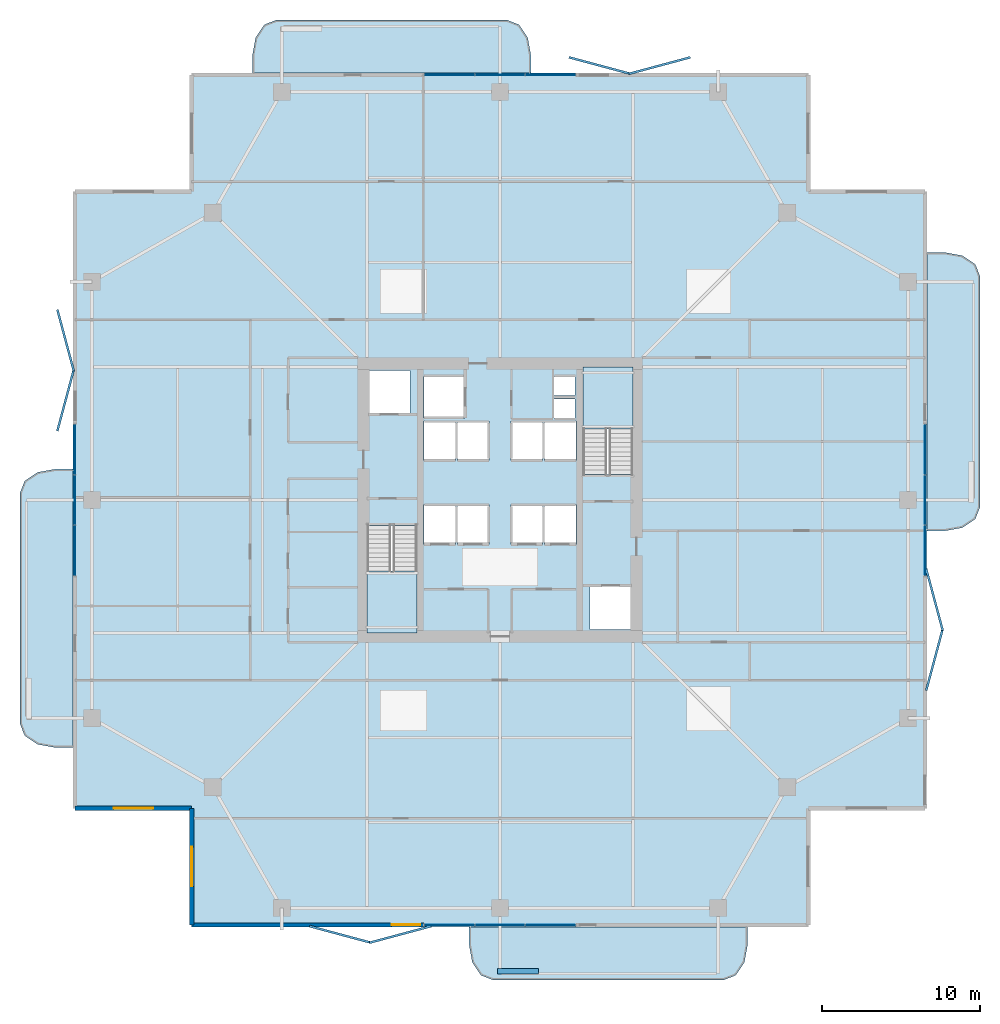
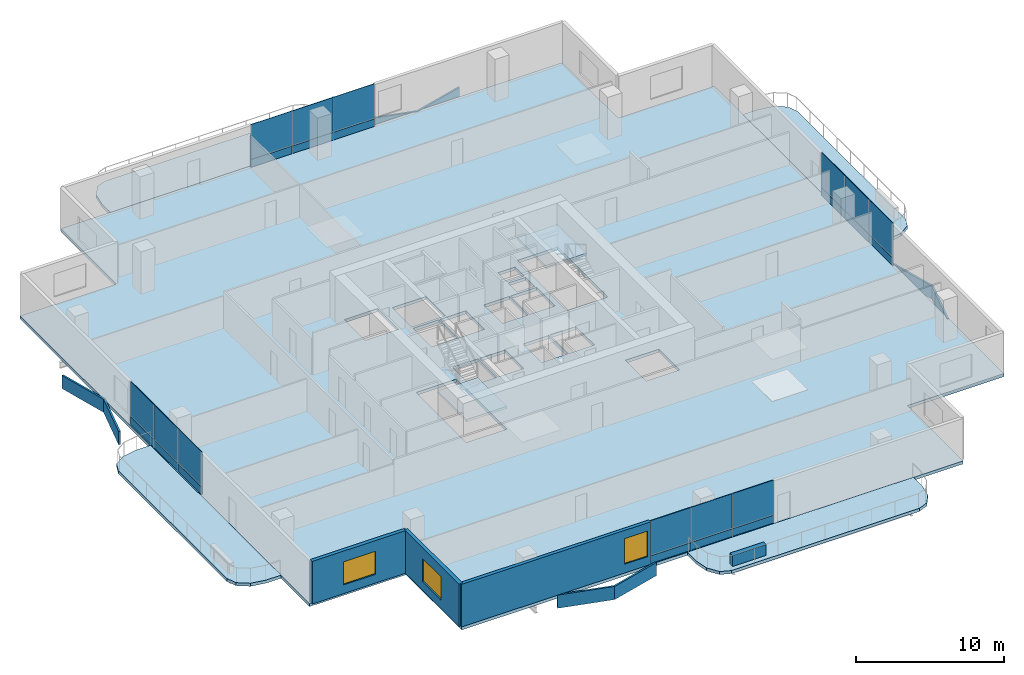
# One storey, part 16 of 24: 32 plates, 7 slabs, 4 walls, 3 windows, 3 openings, 6 elements without a shape of their own.
"""IFC4 building model written with IfcOpenShell, lengths in metres."""

from ifc_helpers import new_model, si_unit, direction, frame, frame_2d, origin, origin_2d, place, context, subcontext, project, spatial, polyline, rectangle, outline, extrude, material, layer, layer_set, type_object, element, fill, aggregate, save


model = new_model("IFC4")

# Units and contexts
model_context = context("Model", 3, precision=1e-05, world=origin(), true_north=direction((0.0, 1.0)))
body_context = subcontext(model_context, "Body", "Model", "MODEL_VIEW")
ifc_project = project(units=[si_unit("LENGTHUNIT", "METRE"), si_unit("AREAUNIT", "SQUARE_METRE"), si_unit("VOLUMEUNIT", "CUBIC_METRE"), si_unit("PLANEANGLEUNIT", "RADIAN"), si_unit("MASSUNIT", "GRAM", prefix="KILO")], contexts=[model_context])

# Site, building, storey
site_placement = place(None, origin())
site = spatial("IfcSite", under=ifc_project, at=site_placement, CompositionType="ELEMENT")
building_placement = place(site_placement, origin())
building = spatial("IfcBuilding", under=site, at=building_placement, Name="Belovzor Exchange Tower", CompositionType="ELEMENT")
storey_placement = place(building_placement, frame((0.0, 0.0, 237.449951171875)))
storey = spatial("IfcBuildingStorey", under=building, at=storey_placement, Name="L59", CompositionType="ELEMENT", Elevation=237.449951171875)

# Slab
ifc_material_1 = material(Name="Concrete C40/50", Category="concrete")
ifc_layer_1 = layer(ifc_material_1, 0.25)
ifc_layer_set_1 = layer_set([ifc_layer_1], Name="Concrete C40/50")
slab_type_1 = type_object("IfcSlabType", Name="Composite Concrete Floor Deck Slab 250", PredefinedType="FLOOR", material=ifc_layer_set_1)
slab_1_placement = place(storey_placement, frame((0.0, 0.0, -0.25)))
element("IfcSlab", 1, at=slab_1_placement, inside=storey, type_object=slab_type_1, Name="SL-F250 Structural Slab L59", PredefinedType="FLOOR", context=body_context, shape_type="SweptSolid", body=[
    extrude(outline(polyline([(9.300048828125, 1.800048828125), (48.300048828125, 1.800048828125), (48.300048828125, 9.300048828125), (55.800048828125, 9.300048828125), (55.800048828125, 48.300048828125), (48.300048828125, 48.300048828125), (48.300048828125, 55.800048828125), (9.300048828125, 55.800048828125), (9.300048828125, 48.300048828125), (1.800048828125, 48.300048828125), (1.800048828125, 9.300048828125), (9.300048828125, 9.300048828125), (9.300048828125, 1.800048828125)]), holes=[polyline([(20.39990234375, 27.175048828125), (20.39990234375, 20.39990234375), (23.550048828125, 20.39990234375), (23.550048828125, 27.175048828125), (20.39990234375, 27.175048828125)]), polyline([(37.199951171875, 30.425048828125), (37.199951171875, 37.199951171875), (34.050048828125, 37.199951171875), (34.050048828125, 30.425048828125), (37.199951171875, 30.425048828125)]), polyline([(20.5, 34.199951171875), (23.10009765625, 34.199951171875), (23.10009765625, 37.0), (20.5, 37.0), (20.5, 34.199951171875)]), polyline([(34.5, 20.60009765625), (37.10009765625, 20.60009765625), (37.10009765625, 23.39990234375), (34.5, 23.39990234375), (34.5, 20.60009765625)]), polyline([(24.0, 34.0), (26.60009765625, 34.0), (26.60009765625, 36.60009765625), (24.0, 36.60009765625), (24.0, 34.0)]), polyline([(24.0, 26.0), (26.0, 26.0), (26.0, 28.5), (24.0, 28.5), (24.0, 26.0)]), polyline([(26.10009765625, 26.0), (28.10009765625, 26.0), (28.10009765625, 28.5), (26.10009765625, 28.5), (26.10009765625, 26.0)]), polyline([(29.5, 26.0), (31.5, 26.0), (31.5, 28.5), (29.5, 28.5), (29.5, 26.0)]), polyline([(31.60009765625, 26.0), (33.60009765625, 26.0), (33.60009765625, 28.5), (31.60009765625, 28.5), (31.60009765625, 26.0)]), polyline([(24.0, 31.300048828125), (26.0, 31.300048828125), (26.0, 33.800048828125), (24.0, 33.800048828125), (24.0, 31.300048828125)]), polyline([(26.10009765625, 31.300048828125), (28.10009765625, 31.300048828125), (28.10009765625, 33.800048828125), (26.10009765625, 33.800048828125), (26.10009765625, 31.300048828125)]), polyline([(29.5, 31.300048828125), (31.5, 31.300048828125), (31.5, 33.800048828125), (29.5, 33.800048828125), (29.5, 31.300048828125)]), polyline([(31.60009765625, 31.300048828125), (33.60009765625, 31.300048828125), (33.60009765625, 33.800048828125), (31.60009765625, 33.800048828125), (31.60009765625, 31.300048828125)]), polyline([(32.199951171875, 34.0), (33.550048828125, 34.0), (33.550048828125, 35.199951171875), (32.199951171875, 35.199951171875), (32.199951171875, 34.0)]), polyline([(32.199951171875, 35.39990234375), (33.550048828125, 35.39990234375), (33.550048828125, 36.60009765625), (32.199951171875, 36.60009765625), (32.199951171875, 35.39990234375)])]), origin(), (0.0, 0.0, 1.0), 0.25),
])

# Curtain wall, plates
ifc_material_2 = material(Name="Anodised Aluminium Framing", Category="aluminium")
ifc_layer_2 = layer(ifc_material_2, 0.179931640625)
ifc_layer_set_2 = layer_set([ifc_layer_2], Name="Anodised Aluminium Framing")
curtain_wall_type = type_object("IfcCurtainWallType", Name="Recessed Loggia Low-Iron Triple-Glazed Curtain Wall", PredefinedType="NOTDEFINED", material=ifc_layer_set_2)
curtain_wall_1_placement = place(storey_placement, origin())
curtain_wall_1 = element("IfcCurtainWall", 2, at=curtain_wall_1_placement, inside=storey, type_object=curtain_wall_type, Name="CW3 Recessed Loggia Low-Iron Triple-Glazed Curtain Wall L59", PredefinedType="NOTDEFINED")
ifc_material_3 = material(Name="Solar-Control Triple Glazing", Category="glass")
ifc_layer_3 = layer(ifc_material_3, 0.0439453125)
ifc_layer_set_3 = layer_set([ifc_layer_3], Name="Solar-Control Triple Glazing")
plate_type_1 = type_object("IfcPlateType", Name="Insulated Solar Glazing Curtain Panel 44", PredefinedType="CURTAIN_PANEL", material=ifc_layer_set_3)
plate_1_placement = place(storey_placement, frame((32.0, 1.929931640625, 0.63232421875), z_axis=(0.0, 0.0, 1.0), x_axis=(-1.0, 0.0, 0.0)))
plate_1 = element("IfcPlate", 3, at=plate_1_placement, type_object=plate_type_1, Name="GLZ-44 Glazed Curtain Panel 1", PredefinedType="CURTAIN_PANEL", context=body_context, shape_type="SweptSolid", body=[
    extrude(rectangle(XDim=3.18408203125, YDim=0.0439453125, at=origin_2d()), origin(), (0.0, 0.0, 1.0), 2.867919921875),
])
plate_2_placement = place(storey_placement, frame((28.800048828125, 1.929931640625, 0.63232421875), z_axis=(0.0, 0.0, 1.0), x_axis=(-1.0, 0.0, 0.0)))
plate_2 = element("IfcPlate", 4, at=plate_2_placement, type_object=plate_type_1, Name="GLZ-44 Glazed Curtain Panel 2", PredefinedType="CURTAIN_PANEL", context=body_context, shape_type="SweptSolid", body=[
    extrude(rectangle(XDim=3.18408203125, YDim=0.0439453125, at=origin_2d()), origin(), (0.0, 0.0, 1.0), 2.867919921875),
])
plate_3_placement = place(storey_placement, frame((25.60009765625, 1.929931640625, 0.63232421875), z_axis=(0.0, 0.0, 1.0), x_axis=(-1.0, 0.0, 0.0)))
plate_3 = element("IfcPlate", 5, at=plate_3_placement, type_object=plate_type_1, Name="GLZ-44 Glazed Curtain Panel 3", PredefinedType="CURTAIN_PANEL", context=body_context, shape_type="SweptSolid", body=[
    extrude(rectangle(XDim=3.18408203125, YDim=0.0439453125, at=origin_2d()), origin(), (0.0, 0.0, 1.0), 2.867919921875),
])

curtain_wall_2_placement = place(storey_placement, origin())
curtain_wall_2 = element("IfcCurtainWall", 6, at=curtain_wall_2_placement, inside=storey, type_object=curtain_wall_type, Name="CW3 Recessed Loggia Low-Iron Triple-Glazed Curtain Wall L59", PredefinedType="NOTDEFINED")
plate_4_placement = place(storey_placement, frame((25.60009765625, 55.669921875, 0.63232421875), z_axis=(0.0, 0.0, 1.0), x_axis=(1.0, 0.0, 0.0)))
plate_4 = element("IfcPlate", 7, at=plate_4_placement, type_object=plate_type_1, Name="GLZ-44 Glazed Curtain Panel 1", PredefinedType="CURTAIN_PANEL", context=body_context, shape_type="SweptSolid", body=[
    extrude(rectangle(XDim=3.18408203125, YDim=0.0439453125, at=origin_2d()), origin(), (0.0, 0.0, 1.0), 2.867919921875),
])
plate_5_placement = place(storey_placement, frame((28.800048828125, 55.669921875, 0.63232421875), z_axis=(0.0, 0.0, 1.0), x_axis=(1.0, 0.0, 0.0)))
plate_5 = element("IfcPlate", 8, at=plate_5_placement, type_object=plate_type_1, Name="GLZ-44 Glazed Curtain Panel 2", PredefinedType="CURTAIN_PANEL", context=body_context, shape_type="SweptSolid", body=[
    extrude(rectangle(XDim=3.18408203125, YDim=0.0439453125, at=origin_2d()), origin(), (0.0, 0.0, 1.0), 2.867919921875),
])
plate_6_placement = place(storey_placement, frame((32.0, 55.669921875, 0.63232421875), z_axis=(0.0, 0.0, 1.0), x_axis=(1.0, 0.0, 0.0)))
plate_6 = element("IfcPlate", 9, at=plate_6_placement, type_object=plate_type_1, Name="GLZ-44 Glazed Curtain Panel 3", PredefinedType="CURTAIN_PANEL", context=body_context, shape_type="SweptSolid", body=[
    extrude(rectangle(XDim=3.18408203125, YDim=0.0439453125, at=origin_2d()), origin(), (0.0, 0.0, 1.0), 2.867919921875),
])

curtain_wall_3_placement = place(storey_placement, origin())
curtain_wall_3 = element("IfcCurtainWall", 10, at=curtain_wall_3_placement, inside=storey, type_object=curtain_wall_type, Name="CW3 Recessed Loggia Low-Iron Triple-Glazed Curtain Wall L59", PredefinedType="NOTDEFINED")
plate_7_placement = place(storey_placement, frame((1.929931640625, 25.60009765625, 0.63232421875), z_axis=(0.0, 0.0, 1.0), x_axis=(0.0, 1.0, 0.0)))
plate_7 = element("IfcPlate", 11, at=plate_7_placement, type_object=plate_type_1, Name="GLZ-44 Glazed Curtain Panel 1", PredefinedType="CURTAIN_PANEL", context=body_context, shape_type="SweptSolid", body=[
    extrude(rectangle(XDim=3.18408203125, YDim=0.0439453125, at=origin_2d()), origin(), (0.0, 0.0, 1.0), 2.867919921875),
])
plate_8_placement = place(storey_placement, frame((1.929931640625, 28.800048828125, 0.63232421875), z_axis=(0.0, 0.0, 1.0), x_axis=(0.0, 1.0, 0.0)))
plate_8 = element("IfcPlate", 12, at=plate_8_placement, type_object=plate_type_1, Name="GLZ-44 Glazed Curtain Panel 2", PredefinedType="CURTAIN_PANEL", context=body_context, shape_type="SweptSolid", body=[
    extrude(rectangle(XDim=3.18408203125, YDim=0.0439453125, at=origin_2d()), origin(), (0.0, 0.0, 1.0), 2.867919921875),
])
plate_9_placement = place(storey_placement, frame((1.929931640625, 32.0, 0.63232421875), z_axis=(0.0, 0.0, 1.0), x_axis=(0.0, 1.0, 0.0)))
plate_9 = element("IfcPlate", 13, at=plate_9_placement, type_object=plate_type_1, Name="GLZ-44 Glazed Curtain Panel 3", PredefinedType="CURTAIN_PANEL", context=body_context, shape_type="SweptSolid", body=[
    extrude(rectangle(XDim=3.18408203125, YDim=0.0439453125, at=origin_2d()), origin(), (0.0, 0.0, 1.0), 2.867919921875),
])

curtain_wall_4_placement = place(storey_placement, origin())
curtain_wall_4 = element("IfcCurtainWall", 14, at=curtain_wall_4_placement, inside=storey, type_object=curtain_wall_type, Name="CW3 Recessed Loggia Low-Iron Triple-Glazed Curtain Wall L59", PredefinedType="NOTDEFINED")
plate_10_placement = place(storey_placement, frame((55.669921875, 32.0, 0.63232421875), z_axis=(0.0, 0.0, 1.0), x_axis=(0.0, -1.0, 0.0)))
plate_10 = element("IfcPlate", 15, at=plate_10_placement, type_object=plate_type_1, Name="GLZ-44 Glazed Curtain Panel 1", PredefinedType="CURTAIN_PANEL", context=body_context, shape_type="SweptSolid", body=[
    extrude(rectangle(XDim=3.18408203125, YDim=0.0439453125, at=origin_2d()), origin(), (0.0, 0.0, 1.0), 2.867919921875),
])
plate_11_placement = place(storey_placement, frame((55.669921875, 28.800048828125, 0.63232421875), z_axis=(0.0, 0.0, 1.0), x_axis=(0.0, -1.0, 0.0)))
plate_11 = element("IfcPlate", 16, at=plate_11_placement, type_object=plate_type_1, Name="GLZ-44 Glazed Curtain Panel 2", PredefinedType="CURTAIN_PANEL", context=body_context, shape_type="SweptSolid", body=[
    extrude(rectangle(XDim=3.18408203125, YDim=0.0439453125, at=origin_2d()), origin(), (0.0, 0.0, 1.0), 2.867919921875),
])
plate_12_placement = place(storey_placement, frame((55.669921875, 25.60009765625, 0.63232421875), z_axis=(0.0, 0.0, 1.0), x_axis=(0.0, -1.0, 0.0)))
plate_12 = element("IfcPlate", 17, at=plate_12_placement, type_object=plate_type_1, Name="GLZ-44 Glazed Curtain Panel 3", PredefinedType="CURTAIN_PANEL", context=body_context, shape_type="SweptSolid", body=[
    extrude(rectangle(XDim=3.18408203125, YDim=0.0439453125, at=origin_2d()), origin(), (0.0, 0.0, 1.0), 2.867919921875),
])

# Plates
ifc_material_4 = material(Name="Extruded Architectural Terracotta", Category="masonry")
ifc_layer_4 = layer(ifc_material_4, 0.139892578125)
ifc_layer_set_4 = layer_set([ifc_layer_4], Name="Extruded Architectural Terracotta")
plate_type_2 = type_object("IfcPlateType", Name="Mid-Tower Folded Zigzag Terracotta Spandrel Louvre 120", PredefinedType="USERDEFINED", material=ifc_layer_set_4)
for number, where, z_axis, x_axis, name in (
    (18, (18.699951171875, 1.330078125, -1.06494140625), (0.0, 0.0, 1.0), (0.965812803231, -0.259240485101, 0.0), "LVR-ZZ2 Zigzag Terracotta Spandrel Louvre L59 S1A"),
    (19, (22.5, 1.330078125, -1.06494140625), (0.0, 0.0, 1.0), (0.965812803231, 0.259240485101, 0.0), "LVR-ZZ2 Zigzag Terracotta Spandrel Louvre L59 S1B"),
    (20, (56.27001953125, 18.699951171875, -1.06494140625), (0.0, 0.0, 1.0), (0.259240485101, 0.965812803231, 0.0), "LVR-ZZ2 Zigzag Terracotta Spandrel Louvre L59 E1A"),
    (21, (56.27001953125, 22.5, -1.06494140625), (0.0, 0.0, 1.0), (-0.259240485101, 0.965812803231, 0.0), "LVR-ZZ2 Zigzag Terracotta Spandrel Louvre L59 E1B"),
    (22, (35.10009765625, 56.27001953125, -1.06494140625), (0.0, 0.0, 1.0), (0.965812803231, -0.259240485101, 0.0), "LVR-ZZ2 Zigzag Terracotta Spandrel Louvre L59 N2A"),
    (23, (38.89990234375, 56.27001953125, -1.06494140625), (0.0, 0.0, 1.0), (0.965812803231, 0.259240485101, 0.0), "LVR-ZZ2 Zigzag Terracotta Spandrel Louvre L59 N2B"),
    (24, (1.330078125, 35.10009765625, -1.06494140625), (0.0, 0.0, 1.0), (0.259240485101, 0.965812803231, 0.0), "LVR-ZZ2 Zigzag Terracotta Spandrel Louvre L59 W2A"),
    (25, (1.330078125, 38.89990234375, -1.06494140625), (0.0, 0.0, 1.0), (-0.259240485101, 0.965812803231, 0.0), "LVR-ZZ2 Zigzag Terracotta Spandrel Louvre L59 W2B"),
):
    element("IfcPlate", number, at=place(storey_placement, frame(where, z_axis=z_axis, x_axis=x_axis)), inside=storey, type_object=plate_type_2, Name=name, ObjectType="SPANDREL_LOUVRE", PredefinedType="USERDEFINED", context=body_context, shape_type="SweptSolid", body=[
        extrude(rectangle(XDim=4.014892578125, YDim=0.139892578125, at=origin_2d()), origin(), (0.0, 0.0, 1.0), 1.080078125),
    ])

# Stair, slab
ifc_material_5 = material(Name="Concrete C40/50", Category="concrete")
stair_type = type_object("IfcStairType", Name="Reinforced Concrete Dogleg Escape Stair 1350", PredefinedType="HALF_TURN_STAIR", material=ifc_material_5)
stair_1_placement = place(storey_placement, origin())
stair_1 = element("IfcStair", 26, at=stair_1_placement, inside=storey, type_object=stair_type, Name="L59 ST-1", PredefinedType="HALF_TURN_STAIR")
ifc_material_6 = material(Name="Concrete C40/50", Category="concrete")
ifc_layer_5 = layer(ifc_material_6, 0.199951171875)
ifc_layer_set_5 = layer_set([ifc_layer_5], Name="Concrete C40/50")
slab_type_2 = type_object("IfcSlabType", Name="Reinforced Concrete Stair Half-Landing Slab 200", PredefinedType="LANDING", material=ifc_layer_set_5)
slab_2_placement = place(storey_placement, frame((0.0, 0.0, 1.675048828125)))
slab_2 = element("IfcSlab", 27, at=slab_2_placement, type_object=slab_type_2, Name="ST-1 landing 1", PredefinedType="LANDING", context=body_context, shape_type="SweptSolid", body=[
    extrude(outline(polyline([(20.39990234375, 24.300048828125), (20.39990234375, 20.39990234375), (23.550048828125, 20.39990234375), (23.550048828125, 24.300048828125), (20.39990234375, 24.300048828125)])), origin(), (0.0, 0.0, 1.0), 0.199951171875),
])
aggregate(stair_1, [slab_2])

stair_2_placement = place(storey_placement, origin())
stair_2 = element("IfcStair", 28, at=stair_2_placement, inside=storey, type_object=stair_type, Name="L59 ST-2", PredefinedType="HALF_TURN_STAIR")
slab_3_placement = place(storey_placement, frame((0.0, 0.0, 1.675048828125)))
slab_3 = element("IfcSlab", 29, at=slab_3_placement, type_object=slab_type_2, Name="ST-2 landing 1", PredefinedType="LANDING", context=body_context, shape_type="SweptSolid", body=[
    extrude(outline(polyline([(37.199951171875, 33.300048828125), (37.199951171875, 37.199951171875), (34.050048828125, 37.199951171875), (34.050048828125, 33.300048828125), (37.199951171875, 33.300048828125)])), origin(), (0.0, 0.0, 1.0), 0.199951171875),
])
aggregate(stair_2, [slab_3])

# Plate
ifc_material_7 = material(Name="Extruded Architectural Terracotta", Category="masonry")
ifc_layer_6 = layer(ifc_material_7, 0.090087890625)
ifc_layer_set_6 = layer_set([ifc_layer_6], Name="Extruded Architectural Terracotta")
plate_type_3 = type_object("IfcPlateType", Name="Terracotta Shadow-Box Spandrel Panel 90", PredefinedType="CURTAIN_PANEL", material=ifc_layer_set_6)
plate_13_placement = place(storey_placement, frame((32.0, 1.929931640625, 0.0), z_axis=(0.0, 0.0, 1.0), x_axis=(-1.0, 0.0, 0.0)))
plate_13 = element("IfcPlate", 30, at=plate_13_placement, type_object=plate_type_3, Name="SPD-90 Spandrel Panel 1", PredefinedType="CURTAIN_PANEL", context=body_context, shape_type="SweptSolid", body=[
    extrude(rectangle(XDim=3.18408203125, YDim=0.090087890625, at=origin_2d()), origin(), (0.0, 0.0, 1.0), 0.6279296875),
])

plate_14_placement = place(storey_placement, frame((28.800048828125, 1.929931640625, 0.0), z_axis=(0.0, 0.0, 1.0), x_axis=(-1.0, 0.0, 0.0)))
plate_14 = element("IfcPlate", 31, at=plate_14_placement, type_object=plate_type_3, Name="SPD-90 Spandrel Panel 2", PredefinedType="CURTAIN_PANEL", context=body_context, shape_type="SweptSolid", body=[
    extrude(rectangle(XDim=3.18408203125, YDim=0.090087890625, at=origin_2d()), origin(), (0.0, 0.0, 1.0), 0.6279296875),
])

plate_15_placement = place(storey_placement, frame((25.60009765625, 1.929931640625, 0.0), z_axis=(0.0, 0.0, 1.0), x_axis=(-1.0, 0.0, 0.0)))
plate_15 = element("IfcPlate", 32, at=plate_15_placement, type_object=plate_type_3, Name="SPD-90 Spandrel Panel 3", PredefinedType="CURTAIN_PANEL", context=body_context, shape_type="SweptSolid", body=[
    extrude(rectangle(XDim=3.18408203125, YDim=0.090087890625, at=origin_2d()), origin(), (0.0, 0.0, 1.0), 0.6279296875),
])

aggregate(curtain_wall_1, [plate_13, plate_1, plate_14, plate_2, plate_15, plate_3])

plate_16_placement = place(storey_placement, frame((25.60009765625, 55.669921875, 0.0), z_axis=(0.0, 0.0, 1.0), x_axis=(1.0, 0.0, 0.0)))
plate_16 = element("IfcPlate", 33, at=plate_16_placement, type_object=plate_type_3, Name="SPD-90 Spandrel Panel 1", PredefinedType="CURTAIN_PANEL", context=body_context, shape_type="SweptSolid", body=[
    extrude(rectangle(XDim=3.18408203125, YDim=0.090087890625, at=origin_2d()), origin(), (0.0, 0.0, 1.0), 0.6279296875),
])

plate_17_placement = place(storey_placement, frame((28.800048828125, 55.669921875, 0.0), z_axis=(0.0, 0.0, 1.0), x_axis=(1.0, 0.0, 0.0)))
plate_17 = element("IfcPlate", 34, at=plate_17_placement, type_object=plate_type_3, Name="SPD-90 Spandrel Panel 2", PredefinedType="CURTAIN_PANEL", context=body_context, shape_type="SweptSolid", body=[
    extrude(rectangle(XDim=3.18408203125, YDim=0.090087890625, at=origin_2d()), origin(), (0.0, 0.0, 1.0), 0.6279296875),
])

plate_18_placement = place(storey_placement, frame((32.0, 55.669921875, 0.0), z_axis=(0.0, 0.0, 1.0), x_axis=(1.0, 0.0, 0.0)))
plate_18 = element("IfcPlate", 35, at=plate_18_placement, type_object=plate_type_3, Name="SPD-90 Spandrel Panel 3", PredefinedType="CURTAIN_PANEL", context=body_context, shape_type="SweptSolid", body=[
    extrude(rectangle(XDim=3.18408203125, YDim=0.090087890625, at=origin_2d()), origin(), (0.0, 0.0, 1.0), 0.6279296875),
])

aggregate(curtain_wall_2, [plate_16, plate_4, plate_17, plate_5, plate_18, plate_6])

plate_19_placement = place(storey_placement, frame((1.929931640625, 25.60009765625, 0.0), z_axis=(0.0, 0.0, 1.0), x_axis=(0.0, 1.0, 0.0)))
plate_19 = element("IfcPlate", 36, at=plate_19_placement, type_object=plate_type_3, Name="SPD-90 Spandrel Panel 1", PredefinedType="CURTAIN_PANEL", context=body_context, shape_type="SweptSolid", body=[
    extrude(rectangle(XDim=3.18408203125, YDim=0.090087890625, at=origin_2d()), origin(), (0.0, 0.0, 1.0), 0.6279296875),
])

plate_20_placement = place(storey_placement, frame((1.929931640625, 28.800048828125, 0.0), z_axis=(0.0, 0.0, 1.0), x_axis=(0.0, 1.0, 0.0)))
plate_20 = element("IfcPlate", 37, at=plate_20_placement, type_object=plate_type_3, Name="SPD-90 Spandrel Panel 2", PredefinedType="CURTAIN_PANEL", context=body_context, shape_type="SweptSolid", body=[
    extrude(rectangle(XDim=3.18408203125, YDim=0.090087890625, at=origin_2d()), origin(), (0.0, 0.0, 1.0), 0.6279296875),
])

plate_21_placement = place(storey_placement, frame((1.929931640625, 32.0, 0.0), z_axis=(0.0, 0.0, 1.0), x_axis=(0.0, 1.0, 0.0)))
plate_21 = element("IfcPlate", 38, at=plate_21_placement, type_object=plate_type_3, Name="SPD-90 Spandrel Panel 3", PredefinedType="CURTAIN_PANEL", context=body_context, shape_type="SweptSolid", body=[
    extrude(rectangle(XDim=3.18408203125, YDim=0.090087890625, at=origin_2d()), origin(), (0.0, 0.0, 1.0), 0.6279296875),
])

aggregate(curtain_wall_3, [plate_19, plate_7, plate_20, plate_8, plate_21, plate_9])

plate_22_placement = place(storey_placement, frame((55.669921875, 32.0, 0.0), z_axis=(0.0, 0.0, 1.0), x_axis=(0.0, -1.0, 0.0)))
plate_22 = element("IfcPlate", 39, at=plate_22_placement, type_object=plate_type_3, Name="SPD-90 Spandrel Panel 1", PredefinedType="CURTAIN_PANEL", context=body_context, shape_type="SweptSolid", body=[
    extrude(rectangle(XDim=3.18408203125, YDim=0.090087890625, at=origin_2d()), origin(), (0.0, 0.0, 1.0), 0.6279296875),
])

plate_23_placement = place(storey_placement, frame((55.669921875, 28.800048828125, 0.0), z_axis=(0.0, 0.0, 1.0), x_axis=(0.0, -1.0, 0.0)))
plate_23 = element("IfcPlate", 40, at=plate_23_placement, type_object=plate_type_3, Name="SPD-90 Spandrel Panel 2", PredefinedType="CURTAIN_PANEL", context=body_context, shape_type="SweptSolid", body=[
    extrude(rectangle(XDim=3.18408203125, YDim=0.090087890625, at=origin_2d()), origin(), (0.0, 0.0, 1.0), 0.6279296875),
])

plate_24_placement = place(storey_placement, frame((55.669921875, 25.60009765625, 0.0), z_axis=(0.0, 0.0, 1.0), x_axis=(0.0, -1.0, 0.0)))
plate_24 = element("IfcPlate", 41, at=plate_24_placement, type_object=plate_type_3, Name="SPD-90 Spandrel Panel 3", PredefinedType="CURTAIN_PANEL", context=body_context, shape_type="SweptSolid", body=[
    extrude(rectangle(XDim=3.18408203125, YDim=0.090087890625, at=origin_2d()), origin(), (0.0, 0.0, 1.0), 0.6279296875),
])

aggregate(curtain_wall_4, [plate_22, plate_10, plate_23, plate_11, plate_24, plate_12])

# Slabs
ifc_material_8 = material(Name="Concrete C40/50", Category="concrete")
ifc_layer_7 = layer(ifc_material_8, 0.25)
ifc_layer_set_7 = layer_set([ifc_layer_7], Name="Concrete C40/50")
slab_type_3 = type_object("IfcSlabType", Name="Thermally Broken Planted Balcony Slab 250", PredefinedType="FLOOR", material=ifc_layer_set_7)
slab_4_placement = place(storey_placement, frame((0.0, 0.0, -0.25)))
element("IfcSlab", 42, at=slab_4_placement, inside=storey, type_object=slab_type_3, Name="SL-BAL220 Planted Balcony Loggia L59 South", PredefinedType="FLOOR", context=body_context, shape_type="SweptSolid", body=[
    extrude(outline(polyline([(26.85009765625, 1.81494140625), (26.85009765625, 0.64990234375), (27.051025390625, -0.449951171875), (27.60009765625, -1.2548828125), (28.35009765625, -1.550048828125), (42.949951171875, -1.550048828125), (43.699951171875, -1.2548828125), (44.2490234375, -0.449951171875), (44.449951171875, 0.64990234375), (44.449951171875, 1.81494140625), (26.85009765625, 1.81494140625)])), origin(), (0.0, 0.0, 1.0), 0.25),
])
slab_5_placement = place(storey_placement, frame((0.0, 0.0, -0.25)))
element("IfcSlab", 43, at=slab_5_placement, inside=storey, type_object=slab_type_3, Name="SL-BAL220 Planted Balcony Loggia L59 North", PredefinedType="FLOOR", context=body_context, shape_type="SweptSolid", body=[
    extrude(outline(polyline([(30.75, 55.784912109375), (30.75, 56.949951171875), (30.549072265625, 58.050048828125), (30.0, 58.85498046875), (29.25, 59.14990234375), (14.64990234375, 59.14990234375), (13.89990234375, 58.85498046875), (13.35107421875, 58.050048828125), (13.14990234375, 56.949951171875), (13.14990234375, 55.784912109375), (30.75, 55.784912109375)])), origin(), (0.0, 0.0, 1.0), 0.25),
])
slab_6_placement = place(storey_placement, frame((0.0, 0.0, -0.25)))
element("IfcSlab", 44, at=slab_6_placement, inside=storey, type_object=slab_type_3, Name="SL-BAL220 Planted Balcony Loggia L59 East", PredefinedType="FLOOR", context=body_context, shape_type="SweptSolid", body=[
    extrude(outline(polyline([(55.784912109375, 26.85009765625), (56.949951171875, 26.85009765625), (58.050048828125, 27.051025390625), (58.85498046875, 27.60009765625), (59.14990234375, 28.35009765625), (59.14990234375, 42.949951171875), (58.85498046875, 43.699951171875), (58.050048828125, 44.2490234375), (56.949951171875, 44.449951171875), (55.784912109375, 44.449951171875), (55.784912109375, 26.85009765625)])), origin(), (0.0, 0.0, 1.0), 0.25),
])
slab_7_placement = place(storey_placement, frame((0.0, 0.0, -0.25)))
element("IfcSlab", 45, at=slab_7_placement, inside=storey, type_object=slab_type_3, Name="SL-BAL220 Planted Balcony Loggia L59 West", PredefinedType="FLOOR", context=body_context, shape_type="SweptSolid", body=[
    extrude(outline(polyline([(1.81494140625, 30.75), (0.64990234375, 30.75), (-0.449951171875, 30.549072265625), (-1.2548828125, 30.0), (-1.550048828125, 29.25), (-1.550048828125, 14.64990234375), (-1.2548828125, 13.89990234375), (-0.449951171875, 13.35107421875), (0.64990234375, 13.14990234375), (1.81494140625, 13.14990234375), (1.81494140625, 30.75)])), origin(), (0.0, 0.0, 1.0), 0.25),
])

# Wall, opening, window
ifc_material_9 = material(Name="Precast concrete C40/50", Category="concrete")
ifc_layer_8 = layer(ifc_material_9, 0.280029296875)
ifc_layer_set_8 = layer_set([ifc_layer_8], Name="Precast concrete C40/50")
wall_type_1 = type_object("IfcWallType", Name="Precast Concrete Notched Corner Frame Wall 280", PredefinedType="SOLIDWALL", material=ifc_layer_set_8)
wall_1_placement = place(storey_placement, frame((9.300048828125, 1.929931640625, 0.0), z_axis=(0.0, 0.0, 1.0), x_axis=(0.0, 1.0, 0.0)))
wall_1 = element("IfcWall", 46, at=wall_1_placement, inside=storey, type_object=wall_type_1, Name="W-CRN280 Precast Concrete Notched Corner Frame Wall 280 L59", PredefinedType="SOLIDWALL", context=body_context, shape_type="SweptSolid", body=[
    extrude(rectangle(XDim=7.3701171875, YDim=0.280029296875, at=frame_2d((3.68505859375, 0.0))), origin(), (0.0, 0.0, 1.0), 3.5),
])
opening_1_placement = place(wall_1_placement, frame((2.43505859375, 0.0, 0.719970703125)))
opening_1 = element("IfcOpeningElement", 47, at=opening_1_placement, cuts=wall_1, Name="Opening WN-CRN250", PredefinedType="OPENING", context=body_context, shape_type="SweptSolid", body=[
    extrude(rectangle(XDim=2.5, YDim=1.89990234375, at=frame_2d((1.25, 0.949951171875))), frame((0.0, 0.14990234375, 0.0), z_axis=(0.0, -1.0, 0.0), x_axis=(1.0, 0.0, 0.0)), (0.0, 0.0, 1.0), 0.300048828125),
])
ifc_material_10 = material(Name="Thermally Broken Aluminium and Triple Glazing", Category="aluminium")
window_type_1 = type_object("IfcWindowType", Name="Streamline Moderne Corner Wrap Ribbon Window 2500x1900", PartitioningType="SINGLE_PANEL", PredefinedType="WINDOW", material=ifc_material_10)
window_1_placement = place(opening_1_placement, origin())
window_1 = element("IfcWindow", 48, at=window_1_placement, inside=storey, type_object=window_type_1, Name="WN-CRN250 Streamline Moderne Corner Wrap Ribbon Window 2500x1900", OverallHeight=1.89990234375, OverallWidth=2.5, PartitioningType="SINGLE_PANEL", PredefinedType="WINDOW", context=body_context, shape_type="SweptSolid", body=[
    extrude(rectangle(XDim=2.5, YDim=1.89990234375, at=frame_2d((1.25, 0.949951171875))), frame((0.0, 0.030029296875, 0.0), z_axis=(0.0, -1.0, 0.0), x_axis=(1.0, 0.0, 0.0)), (0.0, 0.0, 1.0), 0.06005859375),
])
fill(opening_1, window_1)

wall_2_placement = place(storey_placement, frame((9.300048828125, 9.300048828125, 0.0), z_axis=(0.0, 0.0, 1.0), x_axis=(-1.0, 0.0, 0.0)))
wall_2 = element("IfcWall", 49, at=wall_2_placement, inside=storey, type_object=wall_type_1, Name="W-CRN280 Precast Concrete Notched Corner Frame Wall 280 L59", PredefinedType="SOLIDWALL", context=body_context, shape_type="SweptSolid", body=[
    extrude(rectangle(XDim=7.3701171875, YDim=0.280029296875, at=frame_2d((3.68505859375, 0.0))), origin(), (0.0, 0.0, 1.0), 3.5),
])
opening_2_placement = place(wall_2_placement, frame((2.43505859375, 0.0, 0.719970703125)))
opening_2 = element("IfcOpeningElement", 50, at=opening_2_placement, cuts=wall_2, Name="Opening WN-CRN250", PredefinedType="OPENING", context=body_context, shape_type="SweptSolid", body=[
    extrude(rectangle(XDim=2.5, YDim=1.89990234375, at=frame_2d((1.25, 0.949951171875))), frame((0.0, 0.14990234375, 0.0), z_axis=(0.0, -1.0, 0.0), x_axis=(1.0, 0.0, 0.0)), (0.0, 0.0, 1.0), 0.300048828125),
])
window_2_placement = place(opening_2_placement, origin())
window_2 = element("IfcWindow", 51, at=window_2_placement, inside=storey, type_object=window_type_1, Name="WN-CRN250 Streamline Moderne Corner Wrap Ribbon Window 2500x1900", OverallHeight=1.89990234375, OverallWidth=2.5, PartitioningType="SINGLE_PANEL", PredefinedType="WINDOW", context=body_context, shape_type="SweptSolid", body=[
    extrude(rectangle(XDim=2.5, YDim=1.89990234375, at=frame_2d((1.25, 0.949951171875))), frame((0.0, 0.030029296875, 0.0), z_axis=(0.0, -1.0, 0.0), x_axis=(1.0, 0.0, 0.0)), (0.0, 0.0, 1.0), 0.06005859375),
])
fill(opening_2, window_2)

ifc_material_11 = material(Name="Precast concrete C40/50", Category="concrete")
ifc_layer_9 = layer(ifc_material_11, 0.260009765625)
ifc_layer_set_9 = layer_set([ifc_layer_9], Name="Precast concrete C40/50")
wall_type_2 = type_object("IfcWallType", Name="Precast Concrete Perimeter Loggia Frame Wall 260", PredefinedType="SOLIDWALL", material=ifc_layer_set_9)
wall_3_placement = place(storey_placement, frame((24.0, 1.929931640625, 0.0), z_axis=(0.0, 0.0, 1.0), x_axis=(-1.0, 0.0, 0.0)))
wall_3 = element("IfcWall", 52, at=wall_3_placement, inside=storey, type_object=wall_type_2, Name="W-EXT260 Precast Concrete Perimeter Loggia Frame Wall 260 L59", PredefinedType="SOLIDWALL", context=body_context, shape_type="SweptSolid", body=[
    extrude(rectangle(XDim=14.699951171875, YDim=0.260009765625, at=frame_2d((7.35009765625, 0.0))), origin(), (0.0, 0.0, 1.0), 3.5),
])
opening_3_placement = place(wall_3_placement, frame((0.25, 0.0, 0.719970703125)))
opening_3 = element("IfcOpeningElement", 53, at=opening_3_placement, cuts=wall_3, Name="Opening WN-LOG180", PredefinedType="OPENING", context=body_context, shape_type="SweptSolid", body=[
    extrude(rectangle(XDim=1.800048828125, YDim=2.10009765625, at=frame_2d((0.89990234375, 1.050048828125))), frame((0.0, 0.139892578125, 0.0), z_axis=(0.0, -1.0, 0.0), x_axis=(1.0, 0.0, 0.0)), (0.0, 0.0, 1.0), 0.280029296875),
])
ifc_material_12 = material(Name="Thermally Broken Aluminium and Triple Glazing", Category="aluminium")
window_type_2 = type_object("IfcWindowType", Name="Triple-Glazed Loggia Punched Window 1800x2100", PartitioningType="SINGLE_PANEL", PredefinedType="WINDOW", material=ifc_material_12)
window_3_placement = place(opening_3_placement, origin())
window_3 = element("IfcWindow", 54, at=window_3_placement, inside=storey, type_object=window_type_2, Name="WN-LOG180 Triple-Glazed Loggia Punched Window 1800x2100", OverallHeight=2.10009765625, OverallWidth=1.800048828125, PartitioningType="SINGLE_PANEL", PredefinedType="WINDOW", context=body_context, shape_type="SweptSolid", body=[
    extrude(rectangle(XDim=1.800048828125, YDim=2.10009765625, at=frame_2d((0.89990234375, 1.050048828125))), frame((0.0, 0.030029296875, 0.0), z_axis=(0.0, -1.0, 0.0), x_axis=(1.0, 0.0, 0.0)), (0.0, 0.0, 1.0), 0.06005859375),
])
fill(opening_3, window_3)

# Wall
ifc_material_13 = material(Name="Precast concrete C40/50", Category="concrete")
ifc_layer_10 = layer(ifc_material_13, 0.35009765625)
ifc_layer_set_10 = layer_set([ifc_layer_10], Name="Precast concrete C40/50")
wall_type_3 = type_object("IfcWallType", Name="Precast Concrete Structural Tree Planter Trough 350", PredefinedType="PARAPET", material=ifc_layer_set_10)
wall_4_placement = place(storey_placement, frame((28.64990234375, -1.0, 0.0), z_axis=(0.0, 0.0, 1.0), x_axis=(1.0, 0.0, 0.0)))
element("IfcWall", 55, at=wall_4_placement, inside=storey, type_object=wall_type_3, Name="PT-350 Precast Concrete Structural Tree Planter Trough 350 L59", PredefinedType="PARAPET", context=body_context, shape_type="SweptSolid", body=[
    extrude(rectangle(XDim=2.60009765625, YDim=0.35009765625, at=frame_2d((1.300048828125, 0.0))), origin(), (0.0, 0.0, 1.0), 0.900146484375),
])

save(model, "model.ifc")
